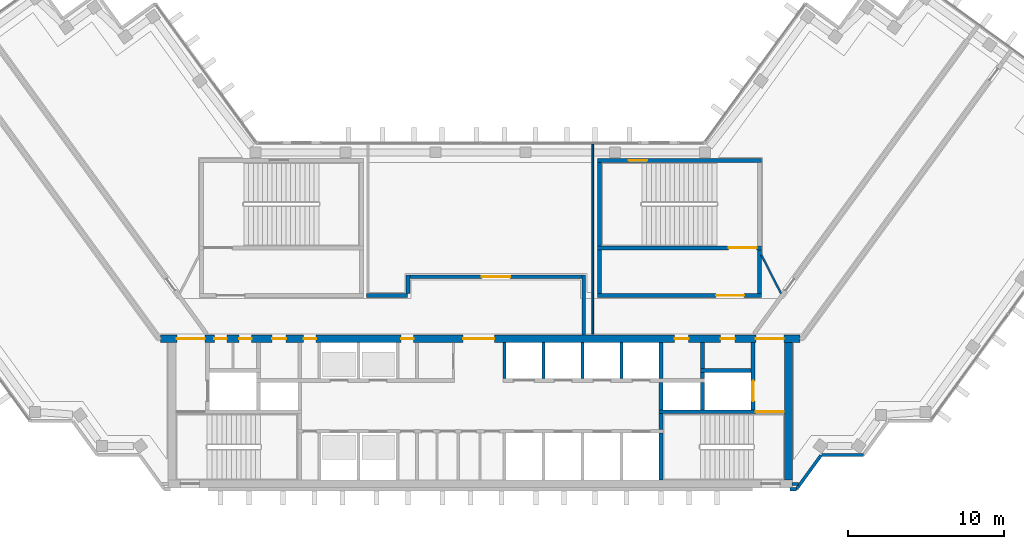
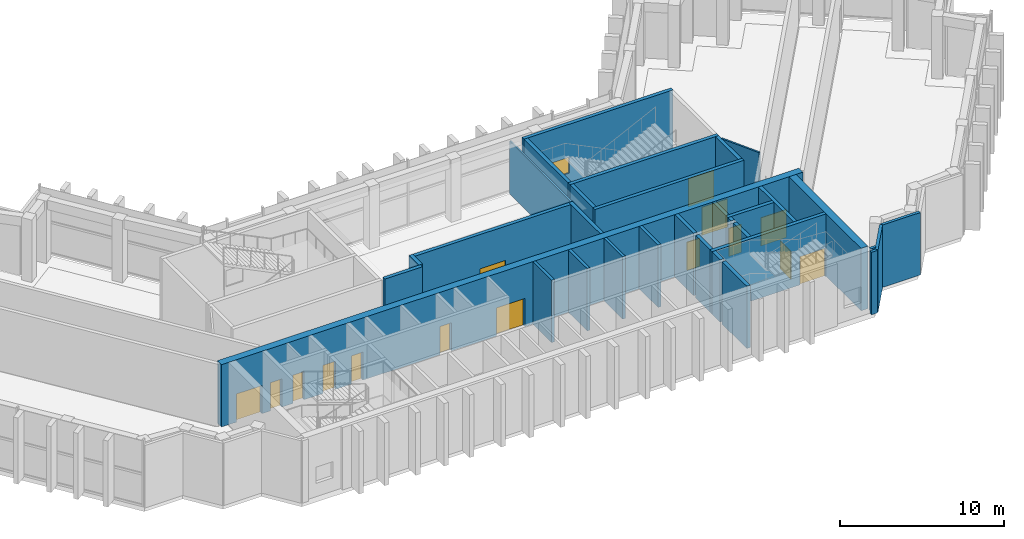
# One storey, part 10 of 14: 32 walls, 15 doors, 1 window, 16 openings.
"""IFC4 building model written with IfcOpenShell, lengths in metres."""

import ifcopenshell
import ifcopenshell.guid

model = None  # the IFC model being written
_history = None  # IfcOwnerHistory: only IFC2X3 demands one
_inside = {}  # id of a spatial element -> (the spatial element, [elements in it])
_under = {}  # id of a project, library or spatial element -> (it, [spatial elements below it])
_declared = {}  # id of a project -> (the project, [libraries it declares])
_typed = {}  # id of a type object -> (the type object, [elements of that type])
_made_of = {}  # id of a material, layer set ... -> (it, [elements and type objects made of it])


def new_model(schema):
    """Start an empty IFC model of exactly this schema.

    Asked for "IFC4X3", IfcOpenShell would pick the latest addendum, in which some entities
    have other attributes; the version numbers below select the first issue.
    IFC2X3 requires an IfcOwnerHistory on every rooted entity: one is made here for all.
    """
    global model, _history
    if schema == "IFC4X3":
        model = ifcopenshell.file(schema_version=(4, 3, 0, 0))
    else:
        model = ifcopenshell.file(schema=schema)
    _inside.clear()
    _under.clear()
    _declared.clear()
    _typed.clear()
    _made_of.clear()
    _history = None
    if model.schema == "IFC2X3":
        org = make("IfcOrganization", Name="unknown")
        user = make(
            "IfcPersonAndOrganization",
            ThePerson=make("IfcPerson", FamilyName="unknown"),
            TheOrganization=org,
        )
        app = make(
            "IfcApplication",
            ApplicationDeveloper=org,
            Version="unknown",
            ApplicationFullName="unknown",
            ApplicationIdentifier="unknown",
        )
        _history = make(
            "IfcOwnerHistory",
            OwningUser=user,
            OwningApplication=app,
            ChangeAction="ADDED",
            CreationDate=0,
        )
    return model


def make(cls, **values):
    """One entity of the class cls with the attributes given. An attribute that is None is left unset."""
    return model.create_entity(
        cls, **{name: value for name, value in values.items() if value is not None}
    )


def rooted(cls, **values):
    """An entity with a GlobalId (a new one), such as an element, a storey or a relation."""
    return make(cls, GlobalId=ifcopenshell.guid.new(), OwnerHistory=_history, **values)


def si_unit(unit_type, name, prefix=None):
    """IfcSIUnit, for example si_unit("LENGTHUNIT", "METRE", prefix="MILLI")."""
    return make("IfcSIUnit", UnitType=unit_type, Prefix=prefix, Name=name)


def assignment(units):
    """IfcUnitAssignment: the units of a project."""
    return None if units is None else make("IfcUnitAssignment", Units=units)


def point(xyz):
    """IfcCartesianPoint."""
    return None if xyz is None else make("IfcCartesianPoint", Coordinates=xyz)


def direction(xyz):
    """IfcDirection."""
    return None if xyz is None else make("IfcDirection", DirectionRatios=xyz)


def frame(location, z_axis=None, x_axis=None):
    """IfcAxis2Placement3D, a coordinate frame: its origin and axes. An axis left out is left unset."""
    return make(
        "IfcAxis2Placement3D",
        Location=point(location),
        Axis=direction(z_axis),
        RefDirection=direction(x_axis),
    )


def frame_2d(location, x_axis=None):
    """IfcAxis2Placement2D, a coordinate frame in the plane: its origin and x axis."""
    return make(
        "IfcAxis2Placement2D", Location=point(location), RefDirection=direction(x_axis)
    )


def origin():
    """The frame at (0, 0, 0) with its axes left unset."""
    return frame((0.0, 0.0, 0.0))


def place(relative_to, where):
    """IfcLocalPlacement: puts the frame where relative to a parent placement (None: the world)."""
    return make(
        "IfcLocalPlacement", PlacementRelTo=relative_to, RelativePlacement=where
    )


def context(
    kind, dimensions, precision=None, world=None, true_north=None, identifier=None
):
    """IfcGeometricRepresentationContext, for example the 3D "Model" context."""
    return make(
        "IfcGeometricRepresentationContext",
        ContextIdentifier=identifier,
        ContextType=kind,
        CoordinateSpaceDimension=dimensions,
        Precision=precision,
        WorldCoordinateSystem=world,
        TrueNorth=true_north,
    )


def subcontext(parent, identifier, kind, view, scale=None):
    """IfcGeometricRepresentationSubContext, for example "Body" below "Model"."""
    return make(
        "IfcGeometricRepresentationSubContext",
        ContextIdentifier=identifier,
        ContextType=kind,
        ParentContext=parent,
        TargetScale=scale,
        TargetView=view,
    )


def project(units=None, contexts=None):
    """IfcProject with its units and contexts."""
    return rooted(
        "IfcProject",
        Name="project",
        RepresentationContexts=contexts,
        UnitsInContext=assignment(units),
    )


def spatial(cls, under=None, at=None, **own):
    """A site, building, storey or space (cls), placed at a placement, below another one or the project."""
    s = rooted(cls, ObjectPlacement=at, **own)
    if under is not None:
        _under.setdefault(under.id(), (under, []))[1].append(s)
    return s


def profile(cls, at=None, kind="AREA", **sizes):
    """A parametric profile (cls). Its sizes go by their IFC names, for example OverallWidth=200.0."""
    return make(cls, ProfileType=kind, Position=at, **sizes)


def rectangle(**sizes):
    """IfcRectangleProfileDef."""
    return profile("IfcRectangleProfileDef", **sizes)


def extrude(swept, where, along, depth):
    """IfcExtrudedAreaSolid: the profile swept, set in the frame where, extruded along a direction by depth."""
    return make(
        "IfcExtrudedAreaSolid",
        SweptArea=swept,
        Position=where,
        ExtrudedDirection=direction(along),
        Depth=depth,
    )


def shape(context_of_items, identifier, shape_type, items):
    """IfcShapeRepresentation: the items that make up one representation, for example the "Body"."""
    return make(
        "IfcShapeRepresentation",
        ContextOfItems=context_of_items,
        RepresentationIdentifier=identifier,
        RepresentationType=shape_type,
        Items=items,
    )


def material(Name=None, Category=None):
    """IfcMaterial."""
    return make("IfcMaterial", Name=Name, Category=Category)


def layer(
    of_material, thickness, ventilated=None, Name=None, Category=None, Priority=None
):
    """IfcMaterialLayer: one layer of a wall or slab, of a material (None: an air gap)."""
    return make(
        "IfcMaterialLayer",
        Material=of_material,
        LayerThickness=thickness,
        IsVentilated=ventilated,
        Name=Name,
        Category=Category,
        Priority=Priority,
    )


def layer_set(layers, Name=None):
    """IfcMaterialLayerSet."""
    return make("IfcMaterialLayerSet", MaterialLayers=layers, LayerSetName=Name)


def made_of(thing, what):
    """Note that an element or type object is made of a material, layer set ...; save() writes the relation."""
    if what is not None:
        _made_of.setdefault(what.id(), (what, []))[1].append(thing)
    return thing


def type_object(cls, material=None, **own):
    """A type object (cls), such as IfcWallType, which elements share."""
    return made_of(rooted(cls, **own), material)


def element(
    cls,
    number,
    at=None,
    inside=None,
    cuts=None,
    type_object=None,
    material=None,
    context=None,
    identifier="Body",
    shape_type=None,
    held_by="IfcProductDefinitionShape",
    body=None,
    shapes=None,
    **own,
):
    """One element of the class cls, such as IfcWall. Its Tag is "e" and its number.

    at: its placement. inside: the storey or other place that contains it. cuts: it is an
    opening in that element (IfcRelVoidsElement). A single representation is given by context,
    identifier, shape_type and body (its items); several are given by shapes. held_by: the class
    of the entity that holds the representations. save() writes the other relations.
    """
    e = rooted(cls, Tag="e%d" % number, ObjectPlacement=at, **own)
    if body is not None:
        shapes = [shape(context, identifier, shape_type, body)]
    if shapes is not None:
        e.Representation = make(held_by, Representations=shapes)
    if inside is not None:
        _inside.setdefault(inside.id(), (inside, []))[1].append(e)
    if cuts is not None:
        rooted(
            "IfcRelVoidsElement", RelatingBuildingElement=cuts, RelatedOpeningElement=e
        )
    if type_object is not None:
        _typed.setdefault(type_object.id(), (type_object, []))[1].append(e)
    return made_of(e, material)


def fill(opening, filler):
    """IfcRelFillsElement: the door or window that sits in an opening."""
    return rooted(
        "IfcRelFillsElement",
        RelatingOpeningElement=opening,
        RelatedBuildingElement=filler,
    )


def aggregate(whole, parts):
    """IfcRelAggregates: a whole, such as a stair, and the parts it consists of."""
    return rooted("IfcRelAggregates", RelatingObject=whole, RelatedObjects=parts)


def save(model, path):
    """Write the relations noted so far, then the file.

    IfcRelAggregates (storeys below a building ...), IfcRelContainedInSpatialStructure (elements
    in a storey), IfcRelDefinesByType, IfcRelAssociatesMaterial and IfcRelDeclares: one each for
    every whole, place, type object, material and project.
    """
    for whole, parts in _under.values():
        aggregate(whole, parts)
    for where, things in _inside.values():
        rooted(
            "IfcRelContainedInSpatialStructure",
            RelatedElements=things,
            RelatingStructure=where,
        )
    for kind, things in _typed.values():
        rooted("IfcRelDefinesByType", RelatedObjects=things, RelatingType=kind)
    for what, things in _made_of.values():
        rooted("IfcRelAssociatesMaterial", RelatedObjects=things, RelatingMaterial=what)
    for by, libraries in _declared.values():
        rooted("IfcRelDeclares", RelatingContext=by, RelatedDefinitions=libraries)
    model.write(path)


model = new_model("IFC4")

# Units and contexts
model_context = context("Model", 3, precision=1e-05, world=origin(), true_north=direction((0.0, 1.0)))
body_context = subcontext(model_context, "Body", "Model", "MODEL_VIEW")
ifc_project = project(units=[si_unit("LENGTHUNIT", "METRE"), si_unit("AREAUNIT", "SQUARE_METRE"), si_unit("VOLUMEUNIT", "CUBIC_METRE"), si_unit("PLANEANGLEUNIT", "RADIAN"), si_unit("MASSUNIT", "GRAM", prefix="KILO")], contexts=[model_context])

# Site, building, storey
site_placement = place(None, origin())
site = spatial("IfcSite", under=ifc_project, at=site_placement, CompositionType="ELEMENT")
building_placement = place(site_placement, origin())
building = spatial("IfcBuilding", under=site, at=building_placement, Name="Quipu Civic Tower", CompositionType="ELEMENT")
storey_placement = place(building_placement, frame((0.0, 0.0, 248.0)))
storey = spatial("IfcBuildingStorey", under=building, at=storey_placement, Name="L58", CompositionType="ELEMENT", Elevation=248.0)

# Walls
ifc_material_1 = material(Name="Concrete C70/85", Category="concrete")
ifc_layer_1 = layer(ifc_material_1, 0.25)
ifc_layer_set_1 = layer_set([ifc_layer_1], Name="Concrete C70/85")
wall_type_1 = type_object("IfcWallType", Name="Core wall 250", PredefinedType="SHEAR", material=ifc_layer_set_1)
wall_1_placement = place(storey_placement, frame((11.574951171875, -10.5, 0.0), z_axis=(0.0, 0.0, 1.0), x_axis=(0.0, 1.0, 0.0)))
element("IfcWall", 1, at=wall_1_placement, inside=storey, type_object=wall_type_1, Name="Core wall", PredefinedType="SHEAR", context=body_context, shape_type="SweptSolid", body=[
    extrude(rectangle(XDim=3.0, YDim=0.25, at=frame_2d((1.5, 0.0))), origin(), (0.0, 0.0, 1.0), 4.64990234375),
])
wall_2_placement = place(storey_placement, frame((11.574951171875, -7.25, 0.0), z_axis=(0.0, 0.0, 1.0), x_axis=(0.0, 1.0, 0.0)))
element("IfcWall", 2, at=wall_2_placement, inside=storey, type_object=wall_type_1, Name="Core wall", PredefinedType="SHEAR", context=body_context, shape_type="SweptSolid", body=[
    extrude(rectangle(XDim=1.0, YDim=0.25, at=frame_2d((0.5, 0.0))), origin(), (0.0, 0.0, 1.0), 4.64990234375),
])

# Wall, opening, door
wall_3_placement = place(storey_placement, frame((19.5, -6.125, 0.0), z_axis=(0.0, 0.0, 1.0), x_axis=(-1.0, 0.0, 0.0)))
wall_3 = element("IfcWall", 3, at=wall_3_placement, inside=storey, type_object=wall_type_1, Name="Core wall", PredefinedType="SHEAR", context=body_context, shape_type="SweptSolid", body=[
    extrude(rectangle(XDim=8.050048828125, YDim=0.25, at=frame_2d((4.02490234375, 0.0))), origin(), (0.0, 0.0, 1.0), 4.64990234375),
])
opening_1_placement = place(wall_3_placement, frame((0.050048828125, 0.0, 0.0)))
opening_1 = element("IfcOpeningElement", 4, at=opening_1_placement, cuts=wall_3, Name="Opening CD-08", PredefinedType="OPENING", context=body_context, shape_type="SweptSolid", body=[
    extrude(rectangle(XDim=1.800048828125, YDim=2.10009765625, at=frame_2d((0.89990234375, 1.050048828125))), frame((0.0, 0.135009765625, 0.0), z_axis=(0.0, -1.0, 0.0), x_axis=(1.0, 0.0, 0.0)), (0.0, 0.0, 1.0), 0.27001953125),
])
ifc_material_2 = material(Name="Fire rated steel door", Category="steel")
door_type_1 = type_object("IfcDoorType", Name="Fire door FD90 double 1800 x 2100", OperationType="NOTDEFINED", PredefinedType="DOOR", material=ifc_material_2)
door_1_placement = place(opening_1_placement, origin())
door_1 = element("IfcDoor", 5, at=door_1_placement, inside=storey, type_object=door_type_1, Name="Door", OperationType="DOUBLE_DOOR_SINGLE_SWING", OverallHeight=2.10009765625, OverallWidth=1.800048828125, PredefinedType="DOOR", context=body_context, shape_type="SweptSolid", body=[
    extrude(rectangle(XDim=1.800048828125, YDim=2.10009765625, at=frame_2d((0.89990234375, 1.050048828125))), frame((0.0, 0.02490234375, 0.0), z_axis=(0.0, -1.0, 0.0), x_axis=(1.0, 0.0, 0.0)), (0.0, 0.0, 1.0), 0.050048828125),
])
fill(opening_1, door_1)

# Walls
for number, where, z_axis, x_axis, name in (
    (6, (11.574951171875, -6.0, 0.0), (0.0, 0.0, 1.0), (0.0, 1.0, 0.0), "Core wall"),
    (7, (14.22509765625, -6.0, 0.0), (0.0, 0.0, 1.0), (0.0, 1.0, 0.0), "Core wall"),
):
    element("IfcWall", number, at=place(storey_placement, frame(where, z_axis=z_axis, x_axis=x_axis)), inside=storey, type_object=wall_type_1, Name=name, PredefinedType="SHEAR", context=body_context, shape_type="SweptSolid", body=[
        extrude(rectangle(XDim=1.75, YDim=0.25, at=frame_2d((0.875, 0.0))), origin(), (0.0, 0.0, 1.0), 4.64990234375),
    ])

# Wall, opening, door
wall_4_placement = place(storey_placement, frame((17.47509765625, -6.0, 0.0), z_axis=(0.0, 0.0, 1.0), x_axis=(0.0, 1.0, 0.0)))
wall_4 = element("IfcWall", 8, at=wall_4_placement, inside=storey, type_object=wall_type_1, Name="Core wall", PredefinedType="SHEAR", context=body_context, shape_type="SweptSolid", body=[
    extrude(rectangle(XDim=4.300048828125, YDim=0.25, at=frame_2d((2.14990234375, 0.0))), origin(), (0.0, 0.0, 1.0), 4.64990234375),
])
opening_2_placement = place(wall_4_placement, frame((0.550048828125, 0.0, 0.0)))
opening_2 = element("IfcOpeningElement", 9, at=opening_2_placement, cuts=wall_4, Name="Opening LD-FF2", PredefinedType="OPENING", context=body_context, shape_type="SweptSolid", body=[
    extrude(rectangle(XDim=1.300048828125, YDim=2.10009765625, at=frame_2d((0.64990234375, 1.050048828125))), frame((0.0, 0.135009765625, 0.0), z_axis=(0.0, -1.0, 0.0), x_axis=(1.0, 0.0, 0.0)), (0.0, 0.0, 1.0), 0.27001953125),
])
ifc_material_3 = material(Name="Stainless steel", Category="steel")
door_type_2 = type_object("IfcDoorType", Name="Lift landing door 1300 x 2100", OperationType="DOUBLE_DOOR_SLIDING", PredefinedType="DOOR", material=ifc_material_3)
door_2_placement = place(opening_2_placement, origin())
door_2 = element("IfcDoor", 10, at=door_2_placement, inside=storey, type_object=door_type_2, Name="Landing door FF2", OperationType="DOUBLE_DOOR_SLIDING", OverallHeight=2.10009765625, OverallWidth=1.300048828125, PredefinedType="DOOR", context=body_context, shape_type="SweptSolid", body=[
    extrude(rectangle(XDim=1.300048828125, YDim=2.10009765625, at=frame_2d((0.64990234375, 1.050048828125))), frame((0.0, 0.02490234375, 0.0), z_axis=(0.0, -1.0, 0.0), x_axis=(1.0, 0.0, 0.0)), (0.0, 0.0, 1.0), 0.050048828125),
])
fill(opening_2, door_2)

# Walls
wall_5_placement = place(storey_placement, frame((11.574951171875, -4.0, 0.0), z_axis=(0.0, 0.0, 1.0), x_axis=(0.0, 1.0, 0.0)))
element("IfcWall", 11, at=wall_5_placement, inside=storey, type_object=wall_type_1, Name="Core wall", PredefinedType="SHEAR", context=body_context, shape_type="SweptSolid", body=[
    extrude(rectangle(XDim=2.300048828125, YDim=0.25, at=frame_2d((1.14990234375, 0.0))), origin(), (0.0, 0.0, 1.0), 4.64990234375),
])
wall_6_placement = place(storey_placement, frame((14.22509765625, -4.0, 0.0), z_axis=(0.0, 0.0, 1.0), x_axis=(0.0, 1.0, 0.0)))
element("IfcWall", 12, at=wall_6_placement, inside=storey, type_object=wall_type_1, Name="Core wall", PredefinedType="SHEAR", context=body_context, shape_type="SweptSolid", body=[
    extrude(rectangle(XDim=0.39990234375, YDim=0.25, at=frame_2d((0.199951171875, 0.0))), origin(), (0.0, 0.0, 1.0), 4.64990234375),
])
wall_7_placement = place(storey_placement, frame((14.10009765625, -3.47509765625, 0.0), z_axis=(0.0, 0.0, 1.0), x_axis=(1.0, 0.0, 0.0)))
element("IfcWall", 13, at=wall_7_placement, inside=storey, type_object=wall_type_1, Name="Core wall", PredefinedType="SHEAR", context=body_context, shape_type="SweptSolid", body=[
    extrude(rectangle(XDim=3.25, YDim=0.25, at=frame_2d((1.625, 0.0))), origin(), (0.0, 0.0, 1.0), 4.64990234375),
])
wall_8_placement = place(storey_placement, frame((14.22509765625, -3.35009765625, 0.0), z_axis=(0.0, 0.0, 1.0), x_axis=(0.0, 1.0, 0.0)))
element("IfcWall", 14, at=wall_8_placement, inside=storey, type_object=wall_type_1, Name="Core wall", PredefinedType="SHEAR", context=body_context, shape_type="SweptSolid", body=[
    extrude(rectangle(XDim=1.650146484375, YDim=0.25, at=frame_2d((0.8251953125, 0.0))), origin(), (0.0, 0.0, 1.0), 4.64990234375),
])

# Wall, opening, door
wall_9_placement = place(storey_placement, frame((7.5, 1.324951171875, 0.0), z_axis=(0.0, 0.0, 1.0), x_axis=(1.0, 0.0, 0.0)))
wall_9 = element("IfcWall", 15, at=wall_9_placement, inside=storey, type_object=wall_type_1, Name="Core wall", PredefinedType="SHEAR", context=body_context, shape_type="SweptSolid", body=[
    extrude(rectangle(XDim=10.5, YDim=0.25, at=frame_2d((5.25, 0.0))), origin(), (0.0, 0.0, 1.0), 4.64990234375),
])
opening_3_placement = place(wall_9_placement, frame((7.60009765625, 0.0, 0.0)))
opening_3 = element("IfcOpeningElement", 16, at=opening_3_placement, cuts=wall_9, Name="Opening CD-22", PredefinedType="OPENING", context=body_context, shape_type="SweptSolid", body=[
    extrude(rectangle(XDim=1.800048828125, YDim=2.10009765625, at=frame_2d((0.89990234375, 1.050048828125))), frame((0.0, 0.135009765625, 0.0), z_axis=(0.0, -1.0, 0.0), x_axis=(1.0, 0.0, 0.0)), (0.0, 0.0, 1.0), 0.27001953125),
])
door_3_placement = place(opening_3_placement, origin())
door_3 = element("IfcDoor", 17, at=door_3_placement, inside=storey, type_object=door_type_1, Name="Lobby door", OperationType="DOUBLE_DOOR_SINGLE_SWING", OverallHeight=2.10009765625, OverallWidth=1.800048828125, PredefinedType="DOOR", context=body_context, shape_type="SweptSolid", body=[
    extrude(rectangle(XDim=1.800048828125, YDim=2.10009765625, at=frame_2d((0.89990234375, 1.050048828125))), frame((0.0, 0.02490234375, 0.0), z_axis=(0.0, -1.0, 0.0), x_axis=(1.0, 0.0, 0.0)), (0.0, 0.0, 1.0), 0.050048828125),
])
fill(opening_3, door_3)

# Walls
for number, where, z_axis, x_axis, name in (
    (18, (7.625, 1.449951171875, 0.0), (0.0, 0.0, 1.0), (0.0, 1.0, 0.0), "Core wall"),
    (19, (17.875, 1.449951171875, 0.0), (0.0, 0.0, 1.0), (0.0, 1.0, 0.0), "Core wall"),
):
    element("IfcWall", number, at=place(storey_placement, frame(where, z_axis=z_axis, x_axis=x_axis)), inside=storey, type_object=wall_type_1, Name=name, PredefinedType="SHEAR", context=body_context, shape_type="SweptSolid", body=[
        extrude(rectangle(XDim=2.800048828125, YDim=0.25, at=frame_2d((1.39990234375, 0.0))), origin(), (0.0, 0.0, 1.0), 4.64990234375),
    ])

# Wall, opening, door
wall_10_placement = place(storey_placement, frame((7.5, 4.375, 0.0), z_axis=(0.0, 0.0, 1.0), x_axis=(1.0, 0.0, 0.0)))
wall_10 = element("IfcWall", 20, at=wall_10_placement, inside=storey, type_object=wall_type_1, Name="Core wall", PredefinedType="SHEAR", context=body_context, shape_type="SweptSolid", body=[
    extrude(rectangle(XDim=10.5, YDim=0.25, at=frame_2d((5.25, 0.0))), origin(), (0.0, 0.0, 1.0), 4.64990234375),
])
opening_4_placement = place(wall_10_placement, frame((8.39990234375, 0.0, 0.0)))
opening_4 = element("IfcOpeningElement", 21, at=opening_4_placement, cuts=wall_10, Name="Opening CD-23", PredefinedType="OPENING", context=body_context, shape_type="SweptSolid", body=[
    extrude(rectangle(XDim=1.800048828125, YDim=2.10009765625, at=frame_2d((0.89990234375, 1.050048828125))), frame((0.0, 0.135009765625, 0.0), z_axis=(0.0, -1.0, 0.0), x_axis=(1.0, 0.0, 0.0)), (0.0, 0.0, 1.0), 0.27001953125),
])
door_4_placement = place(opening_4_placement, origin())
door_4 = element("IfcDoor", 22, at=door_4_placement, inside=storey, type_object=door_type_1, Name="Door", OperationType="DOUBLE_DOOR_SINGLE_SWING", OverallHeight=2.10009765625, OverallWidth=1.800048828125, PredefinedType="DOOR", context=body_context, shape_type="SweptSolid", body=[
    extrude(rectangle(XDim=1.800048828125, YDim=2.10009765625, at=frame_2d((0.89990234375, 1.050048828125))), frame((0.0, 0.02490234375, 0.0), z_axis=(0.0, -1.0, 0.0), x_axis=(1.0, 0.0, 0.0)), (0.0, 0.0, 1.0), 0.050048828125),
])
fill(opening_4, door_4)

# Wall
wall_11_placement = place(storey_placement, frame((7.625, 4.5, 0.0), z_axis=(0.0, 0.0, 1.0), x_axis=(0.0, 1.0, 0.0)))
element("IfcWall", 23, at=wall_11_placement, inside=storey, type_object=wall_type_1, Name="Core wall", PredefinedType="SHEAR", context=body_context, shape_type="SweptSolid", body=[
    extrude(rectangle(XDim=5.35009765625, YDim=0.25, at=frame_2d((2.675048828125, 0.0))), origin(), (0.0, 0.0, 1.0), 4.64990234375),
])

# Wall, opening, window
wall_12_placement = place(storey_placement, frame((7.5, 9.97509765625, 0.0), z_axis=(0.0, 0.0, 1.0), x_axis=(1.0, 0.0, 0.0)))
wall_12 = element("IfcWall", 24, at=wall_12_placement, inside=storey, type_object=wall_type_1, Name="Core wall", PredefinedType="SHEAR", context=body_context, shape_type="SweptSolid", body=[
    extrude(rectangle(XDim=10.5, YDim=0.25, at=frame_2d((5.25, 0.0))), origin(), (0.0, 0.0, 1.0), 4.64990234375),
])
opening_5_placement = place(wall_12_placement, frame((2.0, 0.0, 1.0)))
opening_5 = element("IfcOpeningElement", 25, at=opening_5_placement, cuts=wall_12, Name="Opening SV-4", PredefinedType="OPENING", context=body_context, shape_type="SweptSolid", body=[
    extrude(rectangle(XDim=1.199951171875, YDim=1.199951171875, at=frame_2d((0.60009765625, 0.60009765625))), frame((0.0, 0.135009765625, 0.0), z_axis=(0.0, -1.0, 0.0), x_axis=(1.0, 0.0, 0.0)), (0.0, 0.0, 1.0), 0.27001953125),
])
ifc_material_4 = material(Name="Aluminium louvre", Category="aluminium")
window_type = type_object("IfcWindowType", Name="Stair ventilation louvre 1200 x 1200", PartitioningType="SINGLE_PANEL", PredefinedType="WINDOW", material=ifc_material_4)
window_placement = place(opening_5_placement, origin())
window = element("IfcWindow", 26, at=window_placement, inside=storey, type_object=window_type, Name="Stair ventilation opening", OverallHeight=1.199951171875, OverallWidth=1.199951171875, PartitioningType="SINGLE_PANEL", PredefinedType="WINDOW", context=body_context, shape_type="SweptSolid", body=[
    extrude(rectangle(XDim=1.199951171875, YDim=1.199951171875, at=frame_2d((0.60009765625, 0.60009765625))), frame((0.0, 0.030029296875, 0.0), z_axis=(0.0, -1.0, 0.0), x_axis=(1.0, 0.0, 0.0)), (0.0, 0.0, 1.0), 0.06005859375),
])
fill(opening_5, window)

# Wall
ifc_material_5 = material(Name="Concrete C70/85", Category="concrete")
ifc_layer_2 = layer(ifc_material_5, 0.5)
ifc_layer_set_2 = layer_set([ifc_layer_2], Name="Concrete C70/85")
wall_type_2 = type_object("IfcWallType", Name="Core wall 500", PredefinedType="SHEAR", material=ifc_layer_set_2)
wall_13_placement = place(storey_placement, frame((19.75, -10.5, 0.0), z_axis=(0.0, 0.0, 1.0), x_axis=(0.0, 1.0, 0.0)))
element("IfcWall", 27, at=wall_13_placement, inside=storey, type_object=wall_type_2, Name="Core wall", PredefinedType="SHEAR", context=body_context, shape_type="SweptSolid", body=[
    extrude(rectangle(XDim=8.800048828125, YDim=0.5, at=frame_2d((4.39990234375, 0.0))), origin(), (0.0, 0.0, 1.0), 4.64990234375),
])

# Wall, openings, doors
wall_14_placement = place(storey_placement, frame((20.489990234375, -1.449951171875, 0.0), z_axis=(0.0, 0.0, 1.0), x_axis=(-1.0, 0.0, 0.0)))
wall_14 = element("IfcWall", 28, at=wall_14_placement, inside=storey, type_object=wall_type_2, Name="Core wall", PredefinedType="SHEAR", context=body_context, shape_type="SweptSolid", body=[
    extrude(rectangle(XDim=40.97998046875, YDim=0.5, at=frame_2d((20.489990234375, 0.0))), origin(), (0.0, 0.0, 1.0), 4.64990234375),
])
opening_6_placement = place(wall_14_placement, frame((38.139892578125, 0.0, 0.0)))
opening_6 = element("IfcOpeningElement", 29, at=opening_6_placement, cuts=wall_14, Name="Opening CD-10", PredefinedType="OPENING", context=body_context, shape_type="SweptSolid", body=[
    extrude(rectangle(XDim=1.800048828125, YDim=2.10009765625, at=frame_2d((0.89990234375, 1.050048828125))), frame((0.0, 0.260009765625, 0.0), z_axis=(0.0, -1.0, 0.0), x_axis=(1.0, 0.0, 0.0)), (0.0, 0.0, 1.0), 0.52001953125),
])
opening_7_placement = place(wall_14_placement, frame((36.7275390625, 0.0, 0.0)))
opening_7 = element("IfcOpeningElement", 30, at=opening_7_placement, cuts=wall_14, Name="Opening CD-11", PredefinedType="OPENING", context=body_context, shape_type="SweptSolid", body=[
    extrude(rectangle(XDim=0.800048828125, YDim=2.10009765625, at=frame_2d((0.39990234375, 1.050048828125))), frame((0.0, 0.260009765625, 0.0), z_axis=(0.0, -1.0, 0.0), x_axis=(1.0, 0.0, 0.0)), (0.0, 0.0, 1.0), 0.52001953125),
])
opening_8_placement = place(wall_14_placement, frame((35.152587890625, 0.0, 0.0)))
opening_8 = element("IfcOpeningElement", 31, at=opening_8_placement, cuts=wall_14, Name="Opening CD-12", PredefinedType="OPENING", context=body_context, shape_type="SweptSolid", body=[
    extrude(rectangle(XDim=0.800048828125, YDim=2.10009765625, at=frame_2d((0.39990234375, 1.050048828125))), frame((0.0, 0.260009765625, 0.0), z_axis=(0.0, -1.0, 0.0), x_axis=(1.0, 0.0, 0.0)), (0.0, 0.0, 1.0), 0.52001953125),
])
opening_9_placement = place(wall_14_placement, frame((32.93994140625, 0.0, 0.0)))
opening_9 = element("IfcOpeningElement", 32, at=opening_9_placement, cuts=wall_14, Name="Opening CD-13", PredefinedType="OPENING", context=body_context, shape_type="SweptSolid", body=[
    extrude(rectangle(XDim=0.89990234375, YDim=2.10009765625, at=frame_2d((0.449951171875, 1.050048828125))), frame((0.0, 0.260009765625, 0.0), z_axis=(0.0, -1.0, 0.0), x_axis=(1.0, 0.0, 0.0)), (0.0, 0.0, 1.0), 0.52001953125),
])
opening_10_placement = place(wall_14_placement, frame((31.014892578125, 0.0, 0.0)))
opening_10 = element("IfcOpeningElement", 33, at=opening_10_placement, cuts=wall_14, Name="Opening CD-14", PredefinedType="OPENING", context=body_context, shape_type="SweptSolid", body=[
    extrude(rectangle(XDim=0.800048828125, YDim=2.10009765625, at=frame_2d((0.39990234375, 1.050048828125))), frame((0.0, 0.260009765625, 0.0), z_axis=(0.0, -1.0, 0.0), x_axis=(1.0, 0.0, 0.0)), (0.0, 0.0, 1.0), 0.52001953125),
])
opening_11_placement = place(wall_14_placement, frame((24.764892578125, 0.0, 0.0)))
opening_11 = element("IfcOpeningElement", 34, at=opening_11_placement, cuts=wall_14, Name="Opening CD-15", PredefinedType="OPENING", context=body_context, shape_type="SweptSolid", body=[
    extrude(rectangle(XDim=0.800048828125, YDim=2.10009765625, at=frame_2d((0.39990234375, 1.050048828125))), frame((0.0, 0.260009765625, 0.0), z_axis=(0.0, -1.0, 0.0), x_axis=(1.0, 0.0, 0.0)), (0.0, 0.0, 1.0), 0.52001953125),
])
opening_12_placement = place(wall_14_placement, frame((19.590087890625, 0.0, 0.0)))
opening_12 = element("IfcOpeningElement", 35, at=opening_12_placement, cuts=wall_14, Name="Opening CD-16", PredefinedType="OPENING", context=body_context, shape_type="SweptSolid", body=[
    extrude(rectangle(XDim=2.0, YDim=2.10009765625, at=frame_2d((1.0, 1.050048828125))), frame((0.0, 0.260009765625, 0.0), z_axis=(0.0, -1.0, 0.0), x_axis=(1.0, 0.0, 0.0)), (0.0, 0.0, 1.0), 0.52001953125),
])
opening_13_placement = place(wall_14_placement, frame((7.139892578125, 0.0, 0.0)))
opening_13 = element("IfcOpeningElement", 36, at=opening_13_placement, cuts=wall_14, Name="Opening CD-17", PredefinedType="OPENING", context=body_context, shape_type="SweptSolid", body=[
    extrude(rectangle(XDim=0.89990234375, YDim=2.10009765625, at=frame_2d((0.449951171875, 1.050048828125))), frame((0.0, 0.260009765625, 0.0), z_axis=(0.0, -1.0, 0.0), x_axis=(1.0, 0.0, 0.0)), (0.0, 0.0, 1.0), 0.52001953125),
])
opening_14_placement = place(wall_14_placement, frame((4.18994140625, 0.0, 0.0)))
opening_14 = element("IfcOpeningElement", 37, at=opening_14_placement, cuts=wall_14, Name="Opening CD-18", PredefinedType="OPENING", context=body_context, shape_type="SweptSolid", body=[
    extrude(rectangle(XDim=0.89990234375, YDim=2.10009765625, at=frame_2d((0.449951171875, 1.050048828125))), frame((0.0, 0.260009765625, 0.0), z_axis=(0.0, -1.0, 0.0), x_axis=(1.0, 0.0, 0.0)), (0.0, 0.0, 1.0), 0.52001953125),
])
opening_15_placement = place(wall_14_placement, frame((1.0400390625, 0.0, 0.0)))
opening_15 = element("IfcOpeningElement", 38, at=opening_15_placement, cuts=wall_14, Name="Opening CD-19", PredefinedType="OPENING", context=body_context, shape_type="SweptSolid", body=[
    extrude(rectangle(XDim=1.800048828125, YDim=2.10009765625, at=frame_2d((0.89990234375, 1.050048828125))), frame((0.0, 0.260009765625, 0.0), z_axis=(0.0, -1.0, 0.0), x_axis=(1.0, 0.0, 0.0)), (0.0, 0.0, 1.0), 0.52001953125),
])
ifc_material_6 = material(Name="Fire rated steel door", Category="steel")
door_type_3 = type_object("IfcDoorType", Name="Fire door FD60 800 x 2100", OperationType="NOTDEFINED", PredefinedType="DOOR", material=ifc_material_6)
door_5_placement = place(opening_7_placement, origin())
door_5 = element("IfcDoor", 39, at=door_5_placement, inside=storey, type_object=door_type_3, Name="Door", OperationType="SINGLE_SWING_RIGHT", OverallHeight=2.10009765625, OverallWidth=0.800048828125, PredefinedType="DOOR", context=body_context, shape_type="SweptSolid", body=[
    extrude(rectangle(XDim=0.800048828125, YDim=2.10009765625, at=frame_2d((0.39990234375, 1.050048828125))), frame((0.0, 0.02490234375, 0.0), z_axis=(0.0, -1.0, 0.0), x_axis=(1.0, 0.0, 0.0)), (0.0, 0.0, 1.0), 0.050048828125),
])
fill(opening_7, door_5)
door_6_placement = place(opening_8_placement, origin())
door_6 = element("IfcDoor", 40, at=door_6_placement, inside=storey, type_object=door_type_3, Name="Door", OperationType="SINGLE_SWING_RIGHT", OverallHeight=2.10009765625, OverallWidth=0.800048828125, PredefinedType="DOOR", context=body_context, shape_type="SweptSolid", body=[
    extrude(rectangle(XDim=0.800048828125, YDim=2.10009765625, at=frame_2d((0.39990234375, 1.050048828125))), frame((0.0, 0.02490234375, 0.0), z_axis=(0.0, -1.0, 0.0), x_axis=(1.0, 0.0, 0.0)), (0.0, 0.0, 1.0), 0.050048828125),
])
fill(opening_8, door_6)
door_7_placement = place(opening_10_placement, origin())
door_7 = element("IfcDoor", 41, at=door_7_placement, inside=storey, type_object=door_type_3, Name="Door", OperationType="SINGLE_SWING_RIGHT", OverallHeight=2.10009765625, OverallWidth=0.800048828125, PredefinedType="DOOR", context=body_context, shape_type="SweptSolid", body=[
    extrude(rectangle(XDim=0.800048828125, YDim=2.10009765625, at=frame_2d((0.39990234375, 1.050048828125))), frame((0.0, 0.02490234375, 0.0), z_axis=(0.0, -1.0, 0.0), x_axis=(1.0, 0.0, 0.0)), (0.0, 0.0, 1.0), 0.050048828125),
])
fill(opening_10, door_7)
door_8_placement = place(opening_11_placement, origin())
door_8 = element("IfcDoor", 42, at=door_8_placement, inside=storey, type_object=door_type_3, Name="Door", OperationType="SINGLE_SWING_RIGHT", OverallHeight=2.10009765625, OverallWidth=0.800048828125, PredefinedType="DOOR", context=body_context, shape_type="SweptSolid", body=[
    extrude(rectangle(XDim=0.800048828125, YDim=2.10009765625, at=frame_2d((0.39990234375, 1.050048828125))), frame((0.0, 0.02490234375, 0.0), z_axis=(0.0, -1.0, 0.0), x_axis=(1.0, 0.0, 0.0)), (0.0, 0.0, 1.0), 0.050048828125),
])
fill(opening_11, door_8)
ifc_material_7 = material(Name="Fire rated steel door", Category="steel")
door_type_4 = type_object("IfcDoorType", Name="Fire door FD60 900 x 2100", OperationType="NOTDEFINED", PredefinedType="DOOR", material=ifc_material_7)
door_9_placement = place(opening_9_placement, origin())
door_9 = element("IfcDoor", 43, at=door_9_placement, inside=storey, type_object=door_type_4, Name="Riser door", OperationType="SINGLE_SWING_RIGHT", OverallHeight=2.10009765625, OverallWidth=0.89990234375, PredefinedType="DOOR", context=body_context, shape_type="SweptSolid", body=[
    extrude(rectangle(XDim=0.89990234375, YDim=2.10009765625, at=frame_2d((0.449951171875, 1.050048828125))), frame((0.0, 0.02490234375, 0.0), z_axis=(0.0, -1.0, 0.0), x_axis=(1.0, 0.0, 0.0)), (0.0, 0.0, 1.0), 0.050048828125),
])
fill(opening_9, door_9)
door_10_placement = place(opening_13_placement, origin())
door_10 = element("IfcDoor", 44, at=door_10_placement, inside=storey, type_object=door_type_4, Name="Riser door", OperationType="SINGLE_SWING_LEFT", OverallHeight=2.10009765625, OverallWidth=0.89990234375, PredefinedType="DOOR", context=body_context, shape_type="SweptSolid", body=[
    extrude(rectangle(XDim=0.89990234375, YDim=2.10009765625, at=frame_2d((0.449951171875, 1.050048828125))), frame((0.0, 0.02490234375, 0.0), z_axis=(0.0, -1.0, 0.0), x_axis=(1.0, 0.0, 0.0)), (0.0, 0.0, 1.0), 0.050048828125),
])
fill(opening_13, door_10)
door_11_placement = place(opening_14_placement, origin())
door_11 = element("IfcDoor", 45, at=door_11_placement, inside=storey, type_object=door_type_4, Name="Door", OperationType="SINGLE_SWING_LEFT", OverallHeight=2.10009765625, OverallWidth=0.89990234375, PredefinedType="DOOR", context=body_context, shape_type="SweptSolid", body=[
    extrude(rectangle(XDim=0.89990234375, YDim=2.10009765625, at=frame_2d((0.449951171875, 1.050048828125))), frame((0.0, 0.02490234375, 0.0), z_axis=(0.0, -1.0, 0.0), x_axis=(1.0, 0.0, 0.0)), (0.0, 0.0, 1.0), 0.050048828125),
])
fill(opening_14, door_11)
door_12_placement = place(opening_6_placement, origin())
door_12 = element("IfcDoor", 46, at=door_12_placement, inside=storey, type_object=door_type_1, Name="Lobby door", OperationType="DOUBLE_DOOR_SINGLE_SWING", OverallHeight=2.10009765625, OverallWidth=1.800048828125, PredefinedType="DOOR", context=body_context, shape_type="SweptSolid", body=[
    extrude(rectangle(XDim=1.800048828125, YDim=2.10009765625, at=frame_2d((0.89990234375, 1.050048828125))), frame((0.0, 0.02490234375, 0.0), z_axis=(0.0, -1.0, 0.0), x_axis=(1.0, 0.0, 0.0)), (0.0, 0.0, 1.0), 0.050048828125),
])
fill(opening_6, door_12)
door_13_placement = place(opening_15_placement, origin())
door_13 = element("IfcDoor", 47, at=door_13_placement, inside=storey, type_object=door_type_1, Name="Lobby door", OperationType="DOUBLE_DOOR_SINGLE_SWING", OverallHeight=2.10009765625, OverallWidth=1.800048828125, PredefinedType="DOOR", context=body_context, shape_type="SweptSolid", body=[
    extrude(rectangle(XDim=1.800048828125, YDim=2.10009765625, at=frame_2d((0.89990234375, 1.050048828125))), frame((0.0, 0.02490234375, 0.0), z_axis=(0.0, -1.0, 0.0), x_axis=(1.0, 0.0, 0.0)), (0.0, 0.0, 1.0), 0.050048828125),
])
fill(opening_15, door_13)
ifc_material_8 = material(Name="Fire rated steel door", Category="steel")
door_type_5 = type_object("IfcDoorType", Name="Fire door FD90 double 2000 x 2100", OperationType="NOTDEFINED", PredefinedType="DOOR", material=ifc_material_8)
door_14_placement = place(opening_12_placement, origin())
door_14 = element("IfcDoor", 48, at=door_14_placement, inside=storey, type_object=door_type_5, Name="Lobby door", OperationType="DOUBLE_DOOR_SINGLE_SWING", OverallHeight=2.10009765625, OverallWidth=2.0, PredefinedType="DOOR", context=body_context, shape_type="SweptSolid", body=[
    extrude(rectangle(XDim=2.0, YDim=2.10009765625, at=frame_2d((1.0, 1.050048828125))), frame((0.0, 0.02490234375, 0.0), z_axis=(0.0, -1.0, 0.0), x_axis=(1.0, 0.0, 0.0)), (0.0, 0.0, 1.0), 0.050048828125),
])
fill(opening_12, door_14)

# Walls
ifc_material_9 = material(Name="Concrete C50/60", Category="concrete")
ifc_layer_3 = layer(ifc_material_9, 0.25)
ifc_layer_set_3 = layer_set([ifc_layer_3], Name="Concrete C50/60")
wall_type_3 = type_object("IfcWallType", Name="Corridor wall 250 concrete", PredefinedType="SOLIDWALL", material=ifc_layer_set_3)
wall_15_placement = place(storey_placement, frame((6.625, 2.64990234375, 0.0), z_axis=(0.0, 0.0, 1.0), x_axis=(0.0, -1.0, 0.0)))
element("IfcWall", 49, at=wall_15_placement, inside=storey, type_object=wall_type_3, Name="Corridor wall C01", PredefinedType="SOLIDWALL", context=body_context, shape_type="SweptSolid", body=[
    extrude(rectangle(XDim=3.844970703125, YDim=0.25, at=frame_2d((1.92236328125, 0.0))), origin(), (0.0, 0.0, 1.0), 4.64990234375),
])
wall_16_placement = place(storey_placement, frame((-7.289306640625, 1.324951171875, 0.0), z_axis=(0.0, 0.0, 1.0), x_axis=(1.0, 0.0, 0.0)))
element("IfcWall", 50, at=wall_16_placement, inside=storey, type_object=wall_type_3, Name="Corridor wall C06", PredefinedType="SOLIDWALL", context=body_context, shape_type="SweptSolid", body=[
    extrude(rectangle(XDim=2.630615234375, YDim=0.25, at=frame_2d((1.3154296875, 0.0))), origin(), (0.0, 0.0, 1.0), 4.64990234375),
])
wall_17_placement = place(storey_placement, frame((-4.625, 1.45361328125, 0.0), z_axis=(0.0, 0.0, 1.0), x_axis=(0.0, 1.0, 0.0)))
element("IfcWall", 51, at=wall_17_placement, inside=storey, type_object=wall_type_3, Name="Corridor wall C07", PredefinedType="SOLIDWALL", context=body_context, shape_type="SweptSolid", body=[
    extrude(rectangle(XDim=1.1962890625, YDim=0.25, at=frame_2d((0.59814453125, 0.0))), origin(), (0.0, 0.0, 1.0), 4.64990234375),
])

# Wall, opening, door
wall_18_placement = place(storey_placement, frame((-4.5, 2.52490234375, 0.0), z_axis=(0.0, 0.0, 1.0), x_axis=(1.0, 0.0, 0.0)))
wall_18 = element("IfcWall", 52, at=wall_18_placement, inside=storey, type_object=wall_type_3, Name="Corridor wall C08", PredefinedType="SOLIDWALL", context=body_context, shape_type="SweptSolid", body=[
    extrude(rectangle(XDim=11.0, YDim=0.25, at=frame_2d((5.5, 0.0))), origin(), (0.0, 0.0, 1.0), 4.64990234375),
])
opening_16_placement = place(wall_18_placement, frame((4.60009765625, 0.0, 0.0)))
opening_16 = element("IfcOpeningElement", 53, at=opening_16_placement, cuts=wall_18, Name="Opening D003", PredefinedType="OPENING", context=body_context, shape_type="SweptSolid", body=[
    extrude(rectangle(XDim=1.800048828125, YDim=2.10009765625, at=frame_2d((0.89990234375, 1.050048828125))), frame((0.0, 0.135009765625, 0.0), z_axis=(0.0, -1.0, 0.0), x_axis=(1.0, 0.0, 0.0)), (0.0, 0.0, 1.0), 0.27001953125),
])
ifc_material_10 = material(Name="Fire rated timber door set with metal frame", Category="wood")
door_type_6 = type_object("IfcDoorType", Name="Double door 1800 x 2100 FD60", OperationType="DOUBLE_DOOR_SINGLE_SWING", PredefinedType="DOOR", material=ifc_material_10)
door_15_placement = place(opening_16_placement, origin())
door_15 = element("IfcDoor", 54, at=door_15_placement, inside=storey, type_object=door_type_6, Name="Door D003", OperationType="DOUBLE_DOOR_SINGLE_SWING", OverallHeight=2.10009765625, OverallWidth=1.800048828125, PredefinedType="DOOR", context=body_context, shape_type="SweptSolid", body=[
    extrude(rectangle(XDim=1.800048828125, YDim=2.10009765625, at=frame_2d((0.89990234375, 1.050048828125))), frame((0.0, 0.02490234375, 0.0), z_axis=(0.0, -1.0, 0.0), x_axis=(1.0, 0.0, 0.0)), (0.0, 0.0, 1.0), 0.050048828125),
])
fill(opening_16, door_15)

# Walls
ifc_material_11 = material(Name="Gypsum plasterboard on light gauge framing")
ifc_layer_4 = layer(ifc_material_11, 0.1201171875)
ifc_layer_set_4 = layer_set([ifc_layer_4], Name="Gypsum plasterboard on light gauge framing")
wall_type_4 = type_object("IfcWallType", Name="Partition 120 plasterboard", PredefinedType="PARTITIONING", material=ifc_layer_set_4)
wall_19_placement = place(storey_placement, frame((18.0, 3.925048828125, 0.0), z_axis=(0.0, 0.0, 1.0), x_axis=(0.453950796792, -0.891026752736, 0.0)))
element("IfcWall", 55, at=wall_19_placement, inside=storey, type_object=wall_type_4, Name="Partition P01", PredefinedType="PARTITIONING", context=body_context, shape_type="SweptSolid", body=[
    extrude(rectangle(XDim=2.77783203125, YDim=0.1201171875, at=frame_2d((1.388916015625, 0.0))), origin(), (0.0, 0.0, 1.0), 4.64990234375),
])
wall_20_placement = place(storey_placement, frame((7.197998046875, -1.14990234375, 0.0), z_axis=(0.0, 0.0, 1.0), x_axis=(0.0, 1.0, 0.0)))
element("IfcWall", 56, at=wall_20_placement, inside=storey, type_object=wall_type_4, Name="Partition P03", PredefinedType="PARTITIONING", context=body_context, shape_type="SweptSolid", body=[
    extrude(rectangle(XDim=12.14990234375, YDim=0.1201171875, at=frame_2d((6.074951171875, 0.0))), origin(), (0.0, 0.0, 1.0), 3.949951171875),
])
ifc_material_12 = material(Name="Precast concrete C40/50", Category="concrete")
wall_type_5 = type_object("IfcWallType", Name="Precast cladding wall", PredefinedType="SOLIDWALL", material=ifc_material_12)
wall_21_placement = place(storey_placement, frame((19.85009765625, -11.087890625, 0.0), z_axis=(0.0, 0.0, 1.0), x_axis=(1.0, 0.0, 0.0)))
element("IfcWall", 57, at=wall_21_placement, inside=storey, type_object=wall_type_5, Name="Precast cladding wall L58 18", PredefinedType="SOLIDWALL", context=body_context, shape_type="SweptSolid", body=[
    extrude(rectangle(XDim=0.40576171875, YDim=0.199951171875, at=frame_2d((0.202880859375, 0.0))), origin(), (0.0, 0.0, 1.0), 4.64990234375),
])
wall_22_placement = place(storey_placement, frame((20.253173828125, -11.083251953125, 0.0), z_axis=(0.0, 0.0, 1.0), x_axis=(0.587766567315, 0.809030569476, 0.0)))
element("IfcWall", 58, at=wall_22_placement, inside=storey, type_object=wall_type_5, Name="Precast cladding wall L58 19", PredefinedType="SOLIDWALL", context=body_context, shape_type="SweptSolid", body=[
    extrude(rectangle(XDim=2.687744140625, YDim=0.199951171875, at=frame_2d((1.34375, 0.0))), origin(), (0.0, 0.0, 1.0), 4.64990234375),
])
wall_23_placement = place(storey_placement, frame((21.8427734375, -8.90380859375, 0.0), z_axis=(0.0, 0.0, 1.0), x_axis=(1.0, 0.0, 0.0)))
element("IfcWall", 59, at=wall_23_placement, inside=storey, type_object=wall_type_5, Name="Precast cladding wall L58 20", PredefinedType="SOLIDWALL", context=body_context, shape_type="SweptSolid", body=[
    extrude(rectangle(XDim=2.699951171875, YDim=0.199951171875, at=frame_2d((1.35009765625, 0.0))), origin(), (0.0, 0.0, 1.0), 4.64990234375),
])
wall_24_placement = place(storey_placement, frame((19.97998046875, -10.75, 0.0), z_axis=(0.0, 0.0, 1.0), x_axis=(1.0, 0.0, 0.0)))
element("IfcWall", 60, at=wall_24_placement, inside=storey, type_object=wall_type_5, Name="Precast cladding return L58 E", PredefinedType="SOLIDWALL", context=body_context, shape_type="SweptSolid", body=[
    extrude(rectangle(XDim=0.41650390625, YDim=0.199951171875, at=frame_2d((0.208251953125, 0.0))), origin(), (0.0, 0.0, 1.0), 4.64990234375),
])
ifc_material_13 = material(Name="Concrete C40/50", Category="concrete")
ifc_layer_5 = layer(ifc_material_13, 0.199951171875)
ifc_layer_set_5 = layer_set([ifc_layer_5], Name="Concrete C40/50")
wall_type_6 = type_object("IfcWallType", Name="Shaft wall 200", PredefinedType="SOLIDWALL", material=ifc_layer_set_5)
for number, where, z_axis, x_axis, name in (
    (61, (1.550048828125, -4.0, 0.0), (0.0, 0.0, 1.0), (0.0, 1.0, 0.0), "Shaft wall"),
    (62, (4.050048828125, -4.0, 0.0), (0.0, 0.0, 1.0), (0.0, 1.0, 0.0), "Shaft wall"),
    (63, (6.550048828125, -4.0, 0.0), (0.0, 0.0, 1.0), (0.0, 1.0, 0.0), "Shaft wall"),
    (64, (9.050048828125, -4.0, 0.0), (0.0, 0.0, 1.0), (0.0, 1.0, 0.0), "Shaft wall"),
):
    element("IfcWall", number, at=place(storey_placement, frame(where, z_axis=z_axis, x_axis=x_axis)), inside=storey, type_object=wall_type_6, Name=name, PredefinedType="SOLIDWALL", context=body_context, shape_type="SweptSolid", body=[
        extrude(rectangle(XDim=2.300048828125, YDim=0.199951171875, at=frame_2d((1.14990234375, 0.0))), origin(), (0.0, 0.0, 1.0), 4.64990234375),
    ])

save(model, "model.ifc")
